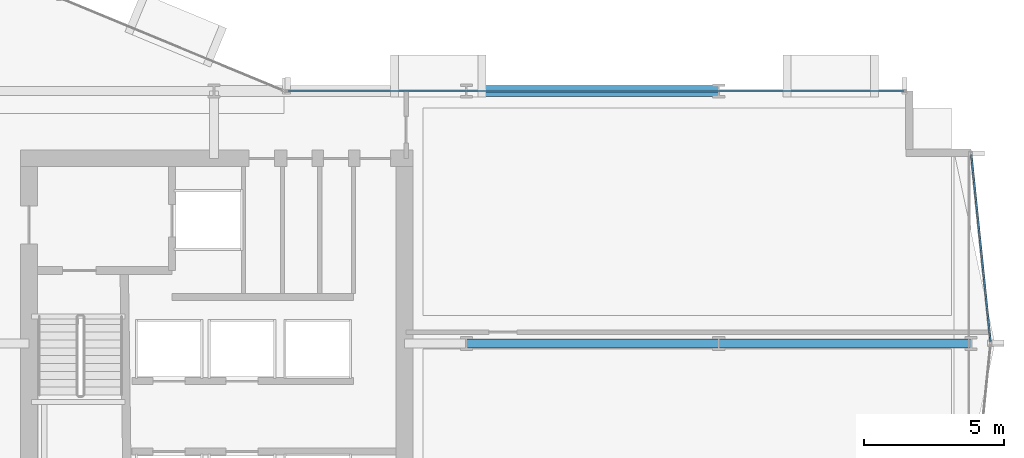
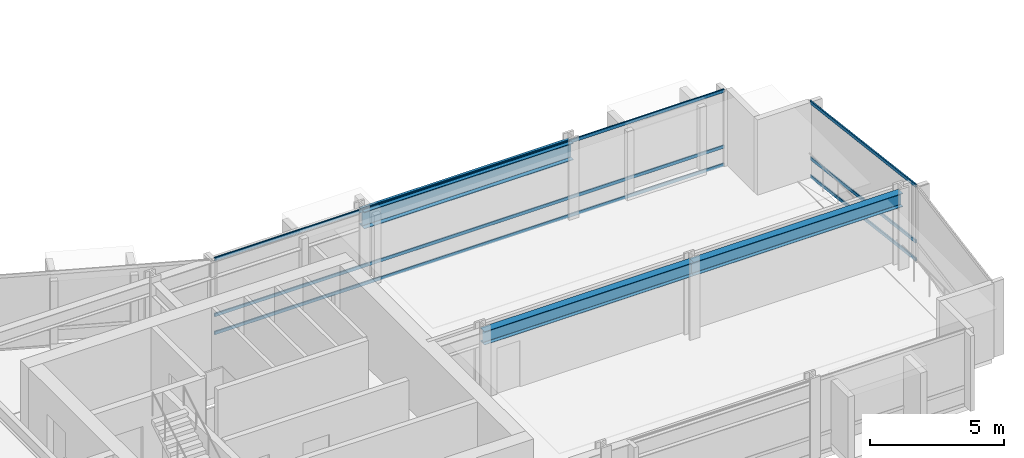
# One storey, part 16 of 34: 6 members, 3 beams, 2 elements without a shape of their own.
"""IFC4 building model written with IfcOpenShell, lengths in metres."""

from ifc_helpers import new_model, si_unit, direction, frame, origin, origin_2d, place, context, subcontext, project, spatial, hollow_rectangle, i_section, extrude, material, layer, layer_set, material_profile, profile_set, type_object, element, aggregate, save


model = new_model("IFC4")

# Units and contexts
model_context = context("Model", 3, precision=1e-05, world=origin(), true_north=direction((0.0, 1.0)))
body_context = subcontext(model_context, "Body", "Model", "MODEL_VIEW")
ifc_project = project(units=[si_unit("LENGTHUNIT", "METRE"), si_unit("AREAUNIT", "SQUARE_METRE"), si_unit("VOLUMEUNIT", "CUBIC_METRE"), si_unit("PLANEANGLEUNIT", "RADIAN"), si_unit("MASSUNIT", "GRAM", prefix="KILO")], contexts=[model_context])

# Site, building, storey
site_placement = place(None, origin())
site = spatial("IfcSite", under=ifc_project, at=site_placement, CompositionType="ELEMENT")
building_placement = place(site_placement, origin())
building = spatial("IfcBuilding", under=site, at=building_placement, Name="Solvaryn Broadcast Tower", CompositionType="ELEMENT")
storey_placement = place(building_placement, frame((0.0, 0.0, 58.199951171875)))
storey = spatial("IfcBuildingStorey", under=building, at=storey_placement, Name="L13", CompositionType="ELEMENT", Elevation=58.199951171875)

# Beams
ifc_material_1 = material(Name="Steel ASTM A992 Grade 50", Category="steel")
ifc_material_profile_1 = material_profile(ifc_material_1, i_section(OverallWidth=0.323974609375, OverallDepth=0.611083984375, WebThickness=0.0126953125, FlangeThickness=0.01904296875, FilletRadius=0.014892578125, at=origin_2d()))
ifc_profile_set_1 = profile_set([ifc_material_profile_1], Name="Steel ASTM A992 Grade 50")
beam_type_1 = type_object("IfcBeamType", Name="BM-B1-W24X104", PredefinedType="BEAM", material=ifc_profile_set_1)
for number, where, z_axis, x_axis, name in (
    (1, (45.0, 18.0, 3.114501953125), (1.0, 0.0, 0.0), (0.0, 1.0, 0.0), "L13 Primary Beam X (45-54 @ Y=18)"),
    (2, (54.0, 18.0, 3.114501953125), (1.0, 0.0, 0.0), (0.0, 1.0, 0.0), "L13 Primary Beam X (54-63 @ Y=18)"),
):
    element("IfcBeam", number, at=place(storey_placement, frame(where, z_axis=z_axis, x_axis=x_axis)), inside=storey, type_object=beam_type_1, Name=name, PredefinedType="BEAM", context=body_context, shape_type="SweptSolid", body=[
        extrude(i_section(OverallWidth=0.323974609375, OverallDepth=0.611083984375, WebThickness=0.0126953125, FlangeThickness=0.01904296875, FilletRadius=0.014892578125, at=origin_2d()), origin(), (0.0, 0.0, 1.0), 9.0),
    ])
ifc_material_2 = material(Name="Steel ASTM A992 Grade 50", Category="steel")
ifc_material_profile_2 = material_profile(ifc_material_2, i_section(OverallWidth=0.381103515625, OverallDepth=0.77294921875, WebThickness=0.0166015625, FlangeThickness=0.027099609375, FilletRadius=0.01806640625, at=origin_2d()))
ifc_profile_set_2 = profile_set([ifc_material_profile_2], Name="Steel ASTM A992 Grade 50")
beam_type_2 = type_object("IfcBeamType", Name="BM-SP1-W30X173", PredefinedType="USERDEFINED", material=ifc_profile_set_2)
beam_placement = place(storey_placement, frame((45.0, 27.0, 3.033447265625), z_axis=(1.0, 0.0, 0.0), x_axis=(0.0, 1.0, 0.0)))
element("IfcBeam", 3, at=beam_placement, inside=storey, type_object=beam_type_2, Name="L13 Spandrel Beam X (45-54 @ Y=27)", ObjectType="SPANDREL", PredefinedType="USERDEFINED", context=body_context, shape_type="SweptSolid", body=[
    extrude(i_section(OverallWidth=0.381103515625, OverallDepth=0.77294921875, WebThickness=0.0166015625, FlangeThickness=0.027099609375, FilletRadius=0.01806640625, at=origin_2d()), origin(), (0.0, 0.0, 1.0), 9.0),
])

# Curtain wall, members
ifc_material_3 = material(Name="Aluminium and Terracotta Unitised Curtain Wall", Category="masonry")
ifc_layer = layer(ifc_material_3, 0.199951171875)
ifc_layer_set = layer_set([ifc_layer], Name="CW-SYS2-LOWMID")
curtain_wall_type = type_object("IfcCurtainWallType", Name="CW-SYS2-LOWMID", PredefinedType="NOTDEFINED", material=ifc_layer_set)
curtain_wall_1_placement = place(storey_placement, origin())
curtain_wall_1 = element("IfcCurtainWall", 4, at=curtain_wall_1_placement, inside=storey, type_object=curtain_wall_type, Name="L13 Curtain Wall ET1", PredefinedType="NOTDEFINED")
ifc_material_4 = material(Name="Anodised Aluminium 6063-T6", Category="aluminium")
ifc_material_profile_3 = material_profile(ifc_material_4, hollow_rectangle(XDim=0.06494140625, YDim=0.14990234375, WallThickness=0.00390625, InnerFilletRadius=0.00390625, OuterFilletRadius=0.008056640625, at=origin_2d()))
ifc_profile_set_3 = profile_set([ifc_material_profile_3], Name="Anodised Aluminium 6063-T6")
member_type = type_object("IfcMemberType", Name="CW-TRN-150", PredefinedType="USERDEFINED", material=ifc_profile_set_3)
member_1_placement = place(storey_placement, frame((63.006103515625, 24.740234375, 0.030029296875), z_axis=(0.102404277363, -0.994742863245, 0.0), x_axis=(0.994742863245, 0.102404277363, 0.0)))
member_1 = element("IfcMember", 5, at=member_1_placement, type_object=member_type, Name="CWS2 transom 1.1", ObjectType="TRANSOM", PredefinedType="USERDEFINED", context=body_context, shape_type="SweptSolid", body=[
    extrude(hollow_rectangle(XDim=0.06494140625, YDim=0.14990234375, WallThickness=0.00390625, InnerFilletRadius=0.00390625, OuterFilletRadius=0.008056640625, at=origin_2d()), origin(), (0.0, 0.0, 1.0), 6.716064453125),
])
member_2_placement = place(storey_placement, frame((63.006103515625, 24.740234375, 0.85009765625), z_axis=(0.102404277363, -0.994742863245, 0.0), x_axis=(0.994742863245, 0.102404277363, 0.0)))
member_2 = element("IfcMember", 6, at=member_2_placement, type_object=member_type, Name="CWS2 transom 1.2", ObjectType="TRANSOM", PredefinedType="USERDEFINED", context=body_context, shape_type="SweptSolid", body=[
    extrude(hollow_rectangle(XDim=0.06494140625, YDim=0.14990234375, WallThickness=0.00390625, InnerFilletRadius=0.00390625, OuterFilletRadius=0.008056640625, at=origin_2d()), origin(), (0.0, 0.0, 1.0), 6.716064453125),
])
member_3_placement = place(storey_placement, frame((63.006103515625, 24.740234375, 3.39013671875), z_axis=(0.102404277363, -0.994742863245, 0.0), x_axis=(0.994742863245, 0.102404277363, 0.0)))
member_3 = element("IfcMember", 7, at=member_3_placement, type_object=member_type, Name="CWS2 transom 1.3", ObjectType="TRANSOM", PredefinedType="USERDEFINED", context=body_context, shape_type="SweptSolid", body=[
    extrude(hollow_rectangle(XDim=0.06494140625, YDim=0.14990234375, WallThickness=0.00390625, InnerFilletRadius=0.00390625, OuterFilletRadius=0.008056640625, at=origin_2d()), origin(), (0.0, 0.0, 1.0), 6.716064453125),
])
aggregate(curtain_wall_1, [member_1, member_2, member_3])

curtain_wall_2_placement = place(storey_placement, origin())
curtain_wall_2 = element("IfcCurtainWall", 8, at=curtain_wall_2_placement, inside=storey, type_object=curtain_wall_type, Name="L13 Curtain Wall IH", PredefinedType="NOTDEFINED")
member_4_placement = place(storey_placement, frame((38.659912109375, 27.0, 0.030029296875), z_axis=(1.0, 0.0, 0.0), x_axis=(0.0, 1.0, 0.0)))
member_4 = element("IfcMember", 9, at=member_4_placement, type_object=member_type, Name="CWS2 transom 1.1", ObjectType="TRANSOM", PredefinedType="USERDEFINED", context=body_context, shape_type="SweptSolid", body=[
    extrude(hollow_rectangle(XDim=0.06494140625, YDim=0.14990234375, WallThickness=0.00390625, InnerFilletRadius=0.00390625, OuterFilletRadius=0.008056640625, at=origin_2d()), origin(), (0.0, 0.0, 1.0), 21.93017578125),
])
member_5_placement = place(storey_placement, frame((38.659912109375, 27.0, 0.85009765625), z_axis=(1.0, 0.0, 0.0), x_axis=(0.0, 1.0, 0.0)))
member_5 = element("IfcMember", 10, at=member_5_placement, type_object=member_type, Name="CWS2 transom 1.2", ObjectType="TRANSOM", PredefinedType="USERDEFINED", context=body_context, shape_type="SweptSolid", body=[
    extrude(hollow_rectangle(XDim=0.06494140625, YDim=0.14990234375, WallThickness=0.00390625, InnerFilletRadius=0.00390625, OuterFilletRadius=0.008056640625, at=origin_2d()), origin(), (0.0, 0.0, 1.0), 21.93017578125),
])
member_6_placement = place(storey_placement, frame((38.659912109375, 27.0, 3.39013671875), z_axis=(1.0, 0.0, 0.0), x_axis=(0.0, 1.0, 0.0)))
member_6 = element("IfcMember", 11, at=member_6_placement, type_object=member_type, Name="CWS2 transom 1.3", ObjectType="TRANSOM", PredefinedType="USERDEFINED", context=body_context, shape_type="SweptSolid", body=[
    extrude(hollow_rectangle(XDim=0.06494140625, YDim=0.14990234375, WallThickness=0.00390625, InnerFilletRadius=0.00390625, OuterFilletRadius=0.008056640625, at=origin_2d()), origin(), (0.0, 0.0, 1.0), 21.93017578125),
])
aggregate(curtain_wall_2, [member_4, member_5, member_6])

save(model, "model.ifc")
